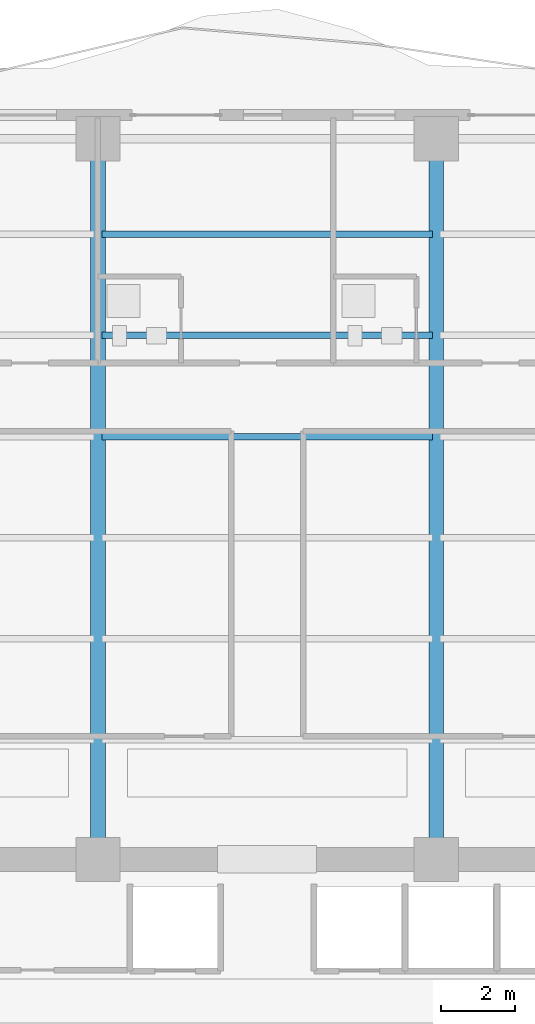
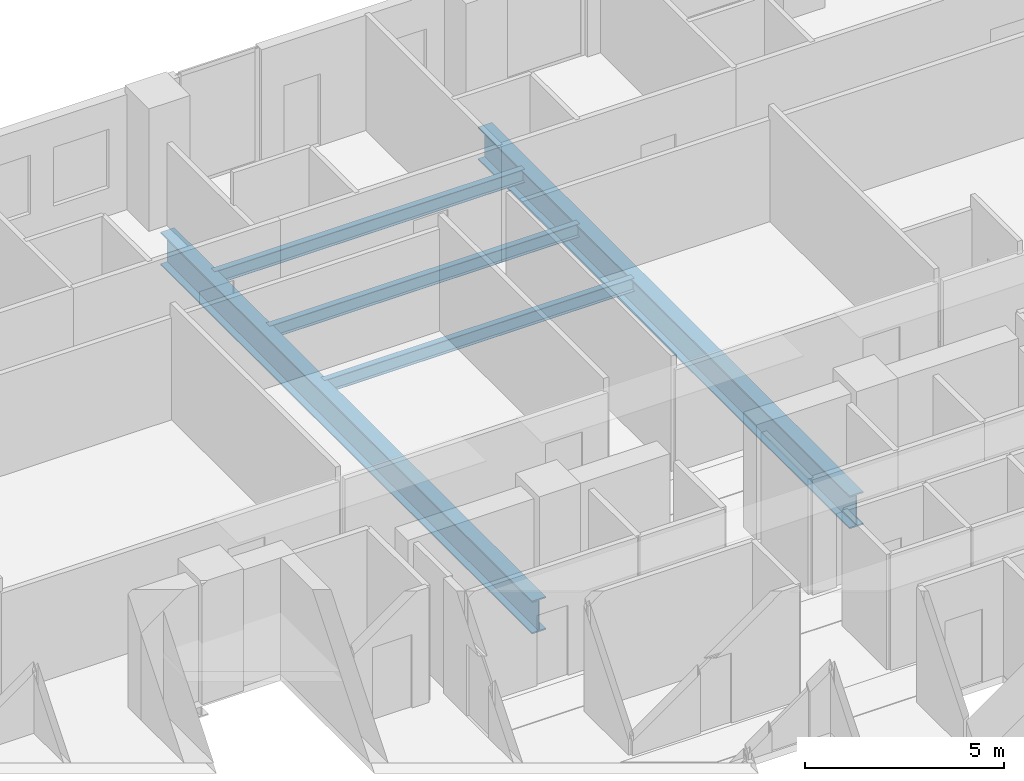
# One storey, part 18 of 32: 5 beams.
"""IFC4 building model written with IfcOpenShell, lengths in metres."""

import ifcopenshell
import ifcopenshell.guid

model = None  # the IFC model being written
_history = None  # IfcOwnerHistory: only IFC2X3 demands one
_inside = {}  # id of a spatial element -> (the spatial element, [elements in it])
_under = {}  # id of a project, library or spatial element -> (it, [spatial elements below it])
_declared = {}  # id of a project -> (the project, [libraries it declares])
_typed = {}  # id of a type object -> (the type object, [elements of that type])
_made_of = {}  # id of a material, layer set ... -> (it, [elements and type objects made of it])


def new_model(schema):
    """Start an empty IFC model of exactly this schema.

    Asked for "IFC4X3", IfcOpenShell would pick the latest addendum, in which some entities
    have other attributes; the version numbers below select the first issue.
    IFC2X3 requires an IfcOwnerHistory on every rooted entity: one is made here for all.
    """
    global model, _history
    if schema == "IFC4X3":
        model = ifcopenshell.file(schema_version=(4, 3, 0, 0))
    else:
        model = ifcopenshell.file(schema=schema)
    _inside.clear()
    _under.clear()
    _declared.clear()
    _typed.clear()
    _made_of.clear()
    _history = None
    if model.schema == "IFC2X3":
        org = make("IfcOrganization", Name="unknown")
        user = make(
            "IfcPersonAndOrganization",
            ThePerson=make("IfcPerson", FamilyName="unknown"),
            TheOrganization=org,
        )
        app = make(
            "IfcApplication",
            ApplicationDeveloper=org,
            Version="unknown",
            ApplicationFullName="unknown",
            ApplicationIdentifier="unknown",
        )
        _history = make(
            "IfcOwnerHistory",
            OwningUser=user,
            OwningApplication=app,
            ChangeAction="ADDED",
            CreationDate=0,
        )
    return model


def make(cls, **values):
    """One entity of the class cls with the attributes given. An attribute that is None is left unset."""
    return model.create_entity(
        cls, **{name: value for name, value in values.items() if value is not None}
    )


def rooted(cls, **values):
    """An entity with a GlobalId (a new one), such as an element, a storey or a relation."""
    return make(cls, GlobalId=ifcopenshell.guid.new(), OwnerHistory=_history, **values)


def si_unit(unit_type, name, prefix=None):
    """IfcSIUnit, for example si_unit("LENGTHUNIT", "METRE", prefix="MILLI")."""
    return make("IfcSIUnit", UnitType=unit_type, Prefix=prefix, Name=name)


def assignment(units):
    """IfcUnitAssignment: the units of a project."""
    return None if units is None else make("IfcUnitAssignment", Units=units)


def point(xyz):
    """IfcCartesianPoint."""
    return None if xyz is None else make("IfcCartesianPoint", Coordinates=xyz)


def direction(xyz):
    """IfcDirection."""
    return None if xyz is None else make("IfcDirection", DirectionRatios=xyz)


def frame(location, z_axis=None, x_axis=None):
    """IfcAxis2Placement3D, a coordinate frame: its origin and axes. An axis left out is left unset."""
    return make(
        "IfcAxis2Placement3D",
        Location=point(location),
        Axis=direction(z_axis),
        RefDirection=direction(x_axis),
    )


def frame_2d(location, x_axis=None):
    """IfcAxis2Placement2D, a coordinate frame in the plane: its origin and x axis."""
    return make(
        "IfcAxis2Placement2D", Location=point(location), RefDirection=direction(x_axis)
    )


def origin():
    """The frame at (0, 0, 0) with its axes left unset."""
    return frame((0.0, 0.0, 0.0))


def origin_2d():
    """The frame at (0, 0) in the plane with its x axis left unset."""
    return frame_2d((0.0, 0.0))


def place(relative_to, where):
    """IfcLocalPlacement: puts the frame where relative to a parent placement (None: the world)."""
    return make(
        "IfcLocalPlacement", PlacementRelTo=relative_to, RelativePlacement=where
    )


def context(
    kind, dimensions, precision=None, world=None, true_north=None, identifier=None
):
    """IfcGeometricRepresentationContext, for example the 3D "Model" context."""
    return make(
        "IfcGeometricRepresentationContext",
        ContextIdentifier=identifier,
        ContextType=kind,
        CoordinateSpaceDimension=dimensions,
        Precision=precision,
        WorldCoordinateSystem=world,
        TrueNorth=true_north,
    )


def subcontext(parent, identifier, kind, view, scale=None):
    """IfcGeometricRepresentationSubContext, for example "Body" below "Model"."""
    return make(
        "IfcGeometricRepresentationSubContext",
        ContextIdentifier=identifier,
        ContextType=kind,
        ParentContext=parent,
        TargetScale=scale,
        TargetView=view,
    )


def project(units=None, contexts=None):
    """IfcProject with its units and contexts."""
    return rooted(
        "IfcProject",
        Name="project",
        RepresentationContexts=contexts,
        UnitsInContext=assignment(units),
    )


def spatial(cls, under=None, at=None, **own):
    """A site, building, storey or space (cls), placed at a placement, below another one or the project."""
    s = rooted(cls, ObjectPlacement=at, **own)
    if under is not None:
        _under.setdefault(under.id(), (under, []))[1].append(s)
    return s


def profile(cls, at=None, kind="AREA", **sizes):
    """A parametric profile (cls). Its sizes go by their IFC names, for example OverallWidth=200.0."""
    return make(cls, ProfileType=kind, Position=at, **sizes)


def i_section(**sizes):
    """IfcIShapeProfileDef."""
    return profile("IfcIShapeProfileDef", **sizes)


def extrude(swept, where, along, depth):
    """IfcExtrudedAreaSolid: the profile swept, set in the frame where, extruded along a direction by depth."""
    return make(
        "IfcExtrudedAreaSolid",
        SweptArea=swept,
        Position=where,
        ExtrudedDirection=direction(along),
        Depth=depth,
    )


def shape(context_of_items, identifier, shape_type, items):
    """IfcShapeRepresentation: the items that make up one representation, for example the "Body"."""
    return make(
        "IfcShapeRepresentation",
        ContextOfItems=context_of_items,
        RepresentationIdentifier=identifier,
        RepresentationType=shape_type,
        Items=items,
    )


def material(Name=None, Category=None):
    """IfcMaterial."""
    return make("IfcMaterial", Name=Name, Category=Category)


def material_profile(
    of_material, cross_section, Name=None, Category=None, Priority=None
):
    """IfcMaterialProfile: a cross section and its material."""
    return make(
        "IfcMaterialProfile",
        Name=Name,
        Material=of_material,
        Profile=cross_section,
        Priority=Priority,
        Category=Category,
    )


def profile_set(profiles, Name=None, composite=None):
    """IfcMaterialProfileSet."""
    return make(
        "IfcMaterialProfileSet",
        Name=Name,
        MaterialProfiles=profiles,
        CompositeProfile=composite,
    )


def made_of(thing, what):
    """Note that an element or type object is made of a material, layer set ...; save() writes the relation."""
    if what is not None:
        _made_of.setdefault(what.id(), (what, []))[1].append(thing)
    return thing


def type_object(cls, material=None, **own):
    """A type object (cls), such as IfcWallType, which elements share."""
    return made_of(rooted(cls, **own), material)


def element(
    cls,
    number,
    at=None,
    inside=None,
    cuts=None,
    type_object=None,
    material=None,
    context=None,
    identifier="Body",
    shape_type=None,
    held_by="IfcProductDefinitionShape",
    body=None,
    shapes=None,
    **own,
):
    """One element of the class cls, such as IfcWall. Its Tag is "e" and its number.

    at: its placement. inside: the storey or other place that contains it. cuts: it is an
    opening in that element (IfcRelVoidsElement). A single representation is given by context,
    identifier, shape_type and body (its items); several are given by shapes. held_by: the class
    of the entity that holds the representations. save() writes the other relations.
    """
    e = rooted(cls, Tag="e%d" % number, ObjectPlacement=at, **own)
    if body is not None:
        shapes = [shape(context, identifier, shape_type, body)]
    if shapes is not None:
        e.Representation = make(held_by, Representations=shapes)
    if inside is not None:
        _inside.setdefault(inside.id(), (inside, []))[1].append(e)
    if cuts is not None:
        rooted(
            "IfcRelVoidsElement", RelatingBuildingElement=cuts, RelatedOpeningElement=e
        )
    if type_object is not None:
        _typed.setdefault(type_object.id(), (type_object, []))[1].append(e)
    return made_of(e, material)


def aggregate(whole, parts):
    """IfcRelAggregates: a whole, such as a stair, and the parts it consists of."""
    return rooted("IfcRelAggregates", RelatingObject=whole, RelatedObjects=parts)


def save(model, path):
    """Write the relations noted so far, then the file.

    IfcRelAggregates (storeys below a building ...), IfcRelContainedInSpatialStructure (elements
    in a storey), IfcRelDefinesByType, IfcRelAssociatesMaterial and IfcRelDeclares: one each for
    every whole, place, type object, material and project.
    """
    for whole, parts in _under.values():
        aggregate(whole, parts)
    for where, things in _inside.values():
        rooted(
            "IfcRelContainedInSpatialStructure",
            RelatedElements=things,
            RelatingStructure=where,
        )
    for kind, things in _typed.values():
        rooted("IfcRelDefinesByType", RelatedObjects=things, RelatingType=kind)
    for what, things in _made_of.values():
        rooted("IfcRelAssociatesMaterial", RelatedObjects=things, RelatingMaterial=what)
    for by, libraries in _declared.values():
        rooted("IfcRelDeclares", RelatingContext=by, RelatedDefinitions=libraries)
    model.write(path)


model = new_model("IFC4")

# Units and contexts
model_context = context("Model", 3, precision=1e-05, world=origin(), true_north=direction((0.0, 1.0)))
body_context = subcontext(model_context, "Body", "Model", "MODEL_VIEW")
ifc_project = project(units=[si_unit("LENGTHUNIT", "METRE"), si_unit("AREAUNIT", "SQUARE_METRE"), si_unit("VOLUMEUNIT", "CUBIC_METRE"), si_unit("PLANEANGLEUNIT", "RADIAN"), si_unit("MASSUNIT", "GRAM", prefix="KILO")], contexts=[model_context])

# Site, building, storey
site_placement = place(None, origin())
site = spatial("IfcSite", under=ifc_project, at=site_placement, CompositionType="ELEMENT")
building_placement = place(site_placement, origin())
building = spatial("IfcBuilding", under=site, at=building_placement, Name="Zuhayl Quay Hotel", CompositionType="ELEMENT")
storey_placement = place(building_placement, frame((0.0, 0.0, 177.39990234375)))
storey = spatial("IfcBuildingStorey", under=building, at=storey_placement, Name="L44", CompositionType="ELEMENT", Elevation=177.39990234375)

# Beams
ifc_material = material(Name="Steel ASTM A992 Grade 50", Category="steel")
ifc_material_profile_1 = material_profile(ifc_material, i_section(OverallWidth=0.177978515625, OverallDepth=0.406005859375, WebThickness=0.0078125, FlangeThickness=0.0126953125, at=origin_2d()), Name="W16X40")
ifc_profile_set_1 = profile_set([ifc_material_profile_1], Name="Steel ASTM A992 Grade 50")
beam_type_1 = type_object("IfcBeamType", Name="BM_J2B_W16X40", PredefinedType="JOIST", material=ifc_profile_set_1)
for number, where, z_axis, x_axis, name in (
    (1, (-4.493896484375, 24.85009765625, -0.4228515625), (1.0, 0.0, 0.0), (0.0, 1.0, 0.0), "L44 Floor Beam FJ_L44_4_2"),
    (2, (-4.493896484375, 27.60009765625, -0.4228515625), (1.0, 0.0, 0.0), (0.0, 1.0, 0.0), "L44 Floor Beam FJ_L44_5_2"),
    (3, (-4.493896484375, 30.35009765625, -0.4228515625), (1.0, 0.0, 0.0), (0.0, 1.0, 0.0), "L44 Floor Beam FJ_L44_6_2"),
):
    element("IfcBeam", number, at=place(storey_placement, frame(where, z_axis=z_axis, x_axis=x_axis)), inside=storey, type_object=beam_type_1, Name=name, PredefinedType="JOIST", context=body_context, shape_type="SweptSolid", body=[
        extrude(i_section(OverallWidth=0.177978515625, OverallDepth=0.406005859375, WebThickness=0.0078125, FlangeThickness=0.0126953125, at=origin_2d()), origin(), (0.0, 0.0, 1.0), 8.98779296875),
    ])
ifc_material_profile_2 = material_profile(ifc_material, i_section(OverallWidth=0.40087890625, OverallDepth=1.010986328125, WebThickness=0.023681640625, FlangeThickness=0.0419921875, at=origin_2d()), Name="W40X297")
ifc_profile_set_2 = profile_set([ifc_material_profile_2], Name="Steel ASTM A992 Grade 50")
beam_type_2 = type_object("IfcBeamType", Name="BM_TG2_W40X297", PredefinedType="BEAM", material=ifc_profile_set_2)
for number, where, z_axis, x_axis, name in (
    (4, (-4.60009765625, 13.800048828125, -0.725341796875), (0.0, 1.0, 0.0), (-1.0, 0.0, 0.0), "L44 Floor Beam FG_N_L44_2"),
    (5, (4.60009765625, 13.800048828125, -0.725341796875), (0.0, 1.0, 0.0), (-1.0, 0.0, 0.0), "L44 Floor Beam FG_N_L44_3"),
):
    element("IfcBeam", number, at=place(storey_placement, frame(where, z_axis=z_axis, x_axis=x_axis)), inside=storey, type_object=beam_type_2, Name=name, PredefinedType="BEAM", context=body_context, shape_type="SweptSolid", body=[
        extrude(i_section(OverallWidth=0.40087890625, OverallDepth=1.010986328125, WebThickness=0.023681640625, FlangeThickness=0.0419921875, at=origin_2d()), origin(), (0.0, 0.0, 1.0), 18.64990234375),
    ])

save(model, "model.ifc")
